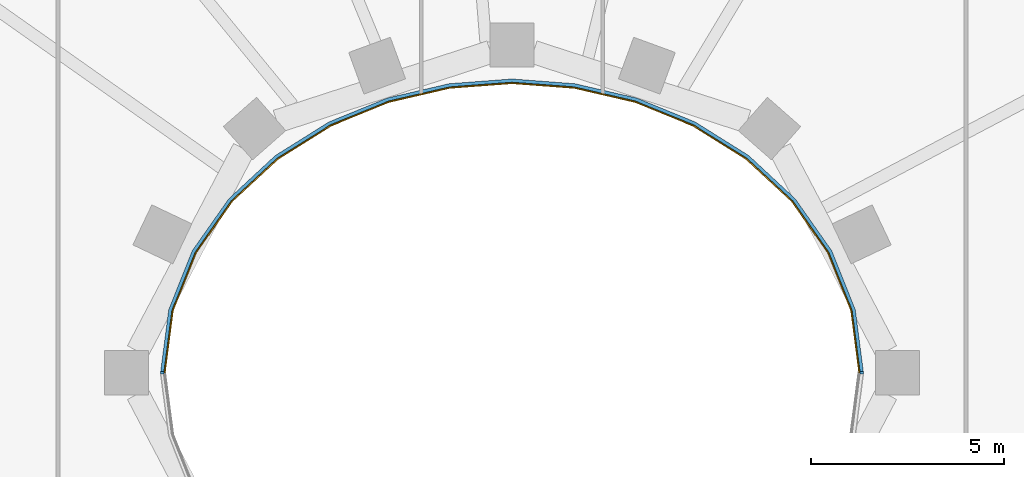
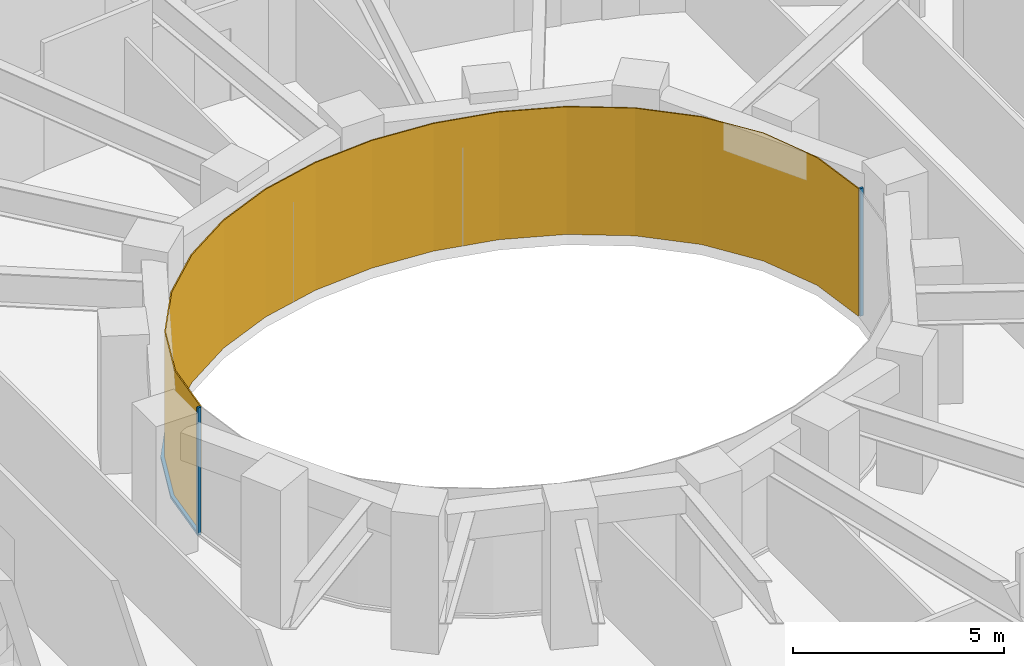
# One storey, part 12 of 16: 3 members, 1 curtain wall.
"""IFC4 building model written with IfcOpenShell, lengths in metres."""

from ifc_helpers import new_model, si_unit, direction, frame, origin, origin_2d, place, context, subcontext, project, spatial, polyline, rectangle, outline, extrude, material, layer, layer_set, material_profile, profile_set, type_object, element, aggregate, save


model = new_model("IFC4")

# Units and contexts
model_context = context("Model", 3, precision=1e-05, world=origin(), true_north=direction((0.0, 1.0)))
body_context = subcontext(model_context, "Body", "Model", "MODEL_VIEW")
ifc_project = project(units=[si_unit("LENGTHUNIT", "METRE"), si_unit("AREAUNIT", "SQUARE_METRE"), si_unit("VOLUMEUNIT", "CUBIC_METRE"), si_unit("PLANEANGLEUNIT", "RADIAN"), si_unit("MASSUNIT", "GRAM", prefix="KILO")], contexts=[model_context])

# Member
ifc_material_1 = material(Name="Steel S355 fire-resisting frame", Category="steel")
ifc_material_profile = material_profile(ifc_material_1, rectangle(XDim=0.090087890625, YDim=0.06005859375, at=origin_2d()), Name="90x60")
ifc_profile_set = profile_set([ifc_material_profile], Name="Steel S355 fire-resisting frame")
member_type_1 = type_object("IfcMemberType", Name="ENV-MULLION-W-90", PredefinedType="MULLION", material=ifc_profile_set)
site_placement = place(None, origin())
building_placement = place(site_placement, origin())
storey_placement = place(building_placement, frame((0.0, 0.0, 136.0)))
member_1_placement = place(storey_placement, frame((9.076904296875, 0.0, 0.0), z_axis=(0.0, 0.0, 1.0), x_axis=(1.0, 0.0, 0.0)))
member_1 = element("IfcMember", 1, at=member_1_placement, type_object=member_type_1, Name="Mullion W well vertex 01", PredefinedType="MULLION", context=body_context, shape_type="SweptSolid", body=[
    extrude(rectangle(XDim=0.090087890625, YDim=0.06005859375, at=origin_2d()), origin(), (0.0, 0.0, 1.0), 3.699951171875),
])

member_2_placement = place(storey_placement, frame((-9.076904296875, 0.0, 0.0), z_axis=(0.0, 0.0, 1.0), x_axis=(-1.0, 0.0, 0.0)))
member_2 = element("IfcMember", 2, at=member_2_placement, type_object=member_type_1, Name="Mullion W well vertex 17", PredefinedType="MULLION", context=body_context, shape_type="SweptSolid", body=[
    extrude(rectangle(XDim=0.090087890625, YDim=0.06005859375, at=origin_2d()), origin(), (0.0, 0.0, 1.0), 3.699951171875),
])

ifc_material_2 = material(Name="Steel S355 fire-resisting frame", Category="steel")
member_type_2 = type_object("IfcMemberType", Name="ENV-TRANSOM-W", PredefinedType="USERDEFINED", material=ifc_material_2)
member_3_placement = place(storey_placement, origin())
member_3 = element("IfcMember", 3, at=member_3_placement, type_object=member_type_2, Name="Transom W well 01-17", ObjectType="TRANSOM", PredefinedType="USERDEFINED", context=body_context, shape_type="SweptSolid", body=[
    extrude(outline(polyline([(9.119384765625, 0.02783203125), (8.910400390625, 1.63623046875), (8.29833984375, 3.167236328125), (7.35107421875, 4.5146484375), (6.1455078125, 5.6337890625), (4.75341796875, 6.50634765625), (3.233642578125, 7.127685546875), (1.635498046875, 7.498779296875), (0.0, 7.622314453125), (-1.635498046875, 7.498779296875), (-3.233642578125, 7.127685546875), (-4.75341796875, 6.50634765625), (-6.1455078125, 5.6337890625), (-7.35107421875, 4.5146484375), (-8.29833984375, 3.167236328125), (-8.910400390625, 1.63623046875), (-9.119384765625, 0.02783203125), (-9.02880859375, 0.02783203125), (-8.822509765625, 1.61328125), (-8.21875, 3.124267578125), (-7.282958984375, 4.455078125), (-6.090576171875, 5.56201171875), (-4.712158203125, 6.426025390625), (-3.206298828125, 7.04150390625), (-1.621826171875, 7.40966796875), (0.0, 7.531982421875), (1.621826171875, 7.40966796875), (3.206298828125, 7.04150390625), (4.712158203125, 6.426025390625), (6.090576171875, 5.56201171875), (7.282958984375, 4.455078125), (8.21875, 3.124267578125), (8.822509765625, 1.61328125), (9.02880859375, 0.02783203125), (9.119384765625, 0.02783203125)])), origin(), (0.0, 0.0, 1.0), 0.080078125),
])

# Site, building, storey
site = spatial("IfcSite", under=ifc_project, at=site_placement, CompositionType="ELEMENT")
building = spatial("IfcBuilding", under=site, at=building_placement, Name="Noorbagh Ring Tower", CompositionType="ELEMENT")
storey = spatial("IfcBuildingStorey", under=building, at=storey_placement, Name="L31", CompositionType="ELEMENT", Elevation=136.0)

# Curtain wall
ifc_material_3 = material(Name="Glass fire-resisting E60 laminated", Category="glass")
ifc_layer = layer(ifc_material_3, 0.031982421875)
ifc_layer_set = layer_set([ifc_layer], Name="Glass fire-resisting E60 laminated")
curtain_wall_type = type_object("IfcCurtainWallType", Name="ENV-CW-W", PredefinedType="NOTDEFINED", material=ifc_layer_set)
curtain_wall_placement = place(storey_placement, origin())
curtain_wall = element("IfcCurtainWall", 4, at=curtain_wall_placement, inside=storey, type_object=curtain_wall_type, Name="Curtain wall W W01", PredefinedType="NOTDEFINED", context=body_context, shape_type="SweptSolid", body=[
    extrude(outline(polyline([(9.0322265625, 0.0), (8.822509765625, 1.61328125), (8.21875, 3.124267578125), (7.282958984375, 4.455078125), (6.090576171875, 5.56201171875), (4.712158203125, 6.426025390625), (3.206298828125, 7.04150390625), (1.621826171875, 7.40966796875), (0.0, 7.531982421875), (-1.621826171875, 7.40966796875), (-3.206298828125, 7.04150390625), (-4.712158203125, 6.426025390625), (-6.090576171875, 5.56201171875), (-7.282958984375, 4.455078125), (-8.21875, 3.124267578125), (-8.822509765625, 1.61328125), (-9.0322265625, 0.0), (-9.0, 0.0), (-8.79150390625, 1.605224609375), (-8.1904296875, 3.10888671875), (-7.2587890625, 4.43408203125), (-6.071044921875, 5.53662109375), (-4.697509765625, 6.3974609375), (-3.196533203125, 7.010986328125), (-1.6171875, 7.3779296875), (0.0, 7.5), (1.6171875, 7.3779296875), (3.196533203125, 7.010986328125), (4.697509765625, 6.3974609375), (6.071044921875, 5.53662109375), (7.2587890625, 4.43408203125), (8.1904296875, 3.10888671875), (8.79150390625, 1.605224609375), (9.0, 0.0), (9.0322265625, 0.0)])), origin(), (0.0, 0.0, 1.0), 3.699951171875),
])

aggregate(curtain_wall, [member_1, member_2, member_3])

save(model, "model.ifc")
